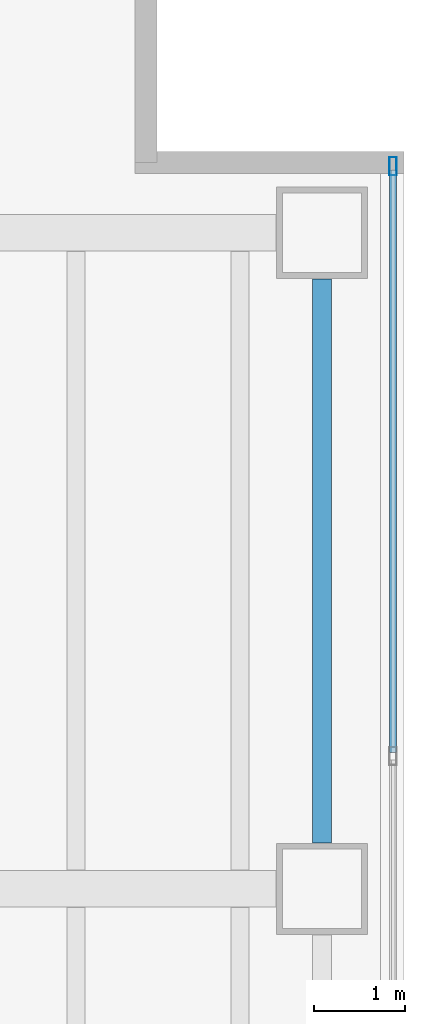
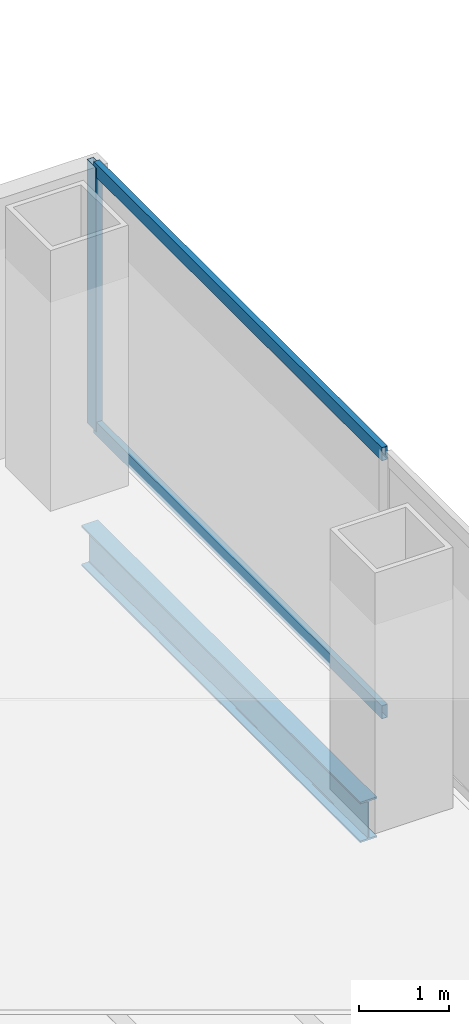
# One storey, part 13 of 25: 3 members, 1 beam, 1 element without a shape of its own.
"""IFC4 building model written with IfcOpenShell, lengths in metres."""

from ifc_helpers import new_model, si_unit, direction, frame, origin, origin_2d, place, context, subcontext, project, spatial, hollow_rectangle, i_section, extrude, material, material_profile, profile_set, type_object, element, aggregate, save


model = new_model("IFC4")

# Units and contexts
model_context = context("Model", 3, precision=1e-05, world=origin(), true_north=direction((0.0, 1.0)))
body_context = subcontext(model_context, "Body", "Model", "MODEL_VIEW")
ifc_project = project(units=[si_unit("LENGTHUNIT", "METRE"), si_unit("AREAUNIT", "SQUARE_METRE"), si_unit("VOLUMEUNIT", "CUBIC_METRE"), si_unit("PLANEANGLEUNIT", "RADIAN"), si_unit("MASSUNIT", "GRAM", prefix="KILO")], contexts=[model_context])

# Site, building, storey
site_placement = place(None, origin())
site = spatial("IfcSite", under=ifc_project, at=site_placement, CompositionType="ELEMENT")
building_placement = place(site_placement, origin())
building = spatial("IfcBuilding", under=site, at=building_placement, Name="Cobrela Telecom Tower", CompositionType="ELEMENT")
storey_placement = place(building_placement, frame((0.0, 0.0, 61.949951171875)))
storey = spatial("IfcBuildingStorey", under=building, at=storey_placement, Name="L15", CompositionType="ELEMENT", Elevation=61.949951171875)

# Beam
ifc_material_1 = material(Name="Steel ASTM A992 Grade 50", Category="steel")
ifc_material_profile_1 = material_profile(ifc_material_1, i_section(OverallWidth=0.212890625, OverallDepth=0.549072265625, WebThickness=0.0146484375, FlangeThickness=0.023681640625, FilletRadius=0.013916015625, at=origin_2d()), Name="W21X93")
ifc_profile_set_1 = profile_set([ifc_material_profile_1], Name="Steel ASTM A992 Grade 50")
beam_type = type_object("IfcBeamType", Name="BM-SPAND-03", PredefinedType="SPANDREL", material=ifc_profile_set_1)
beam_placement = place(storey_placement, frame((49.5, 14.905029296875, -0.554443359375), z_axis=(0.0, 1.0, 0.0), x_axis=(-1.0, 0.0, 0.0)))
element("IfcBeam", 1, at=beam_placement, inside=storey, type_object=beam_type, Name="L15 Perimeter Spandrel Y57", PredefinedType="SPANDREL", context=body_context, shape_type="SweptSolid", body=[
    extrude(i_section(OverallWidth=0.212890625, OverallDepth=0.549072265625, WebThickness=0.0146484375, FlangeThickness=0.023681640625, FilletRadius=0.013916015625, at=origin_2d()), origin(), (0.0, 0.0, 1.0), 6.18994140625),
])

# Curtain wall, members
ifc_material_2 = material(Name="Anodized Bronze Aluminium 6063-T6", Category="aluminium")
curtain_wall_type = type_object("IfcCurtainWallType", Name="CW-SYS-DATA", PredefinedType="USERDEFINED", material=ifc_material_2)
curtain_wall_placement = place(storey_placement, origin())
curtain_wall = element("IfcCurtainWall", 2, at=curtain_wall_placement, inside=storey, type_object=curtain_wall_type, Name="L15 Unitised Bronze Curtain Wall 14", ObjectType="UNITISED CURTAIN WALL", PredefinedType="USERDEFINED")
ifc_material_profile_2 = material_profile(ifc_material_2, hollow_rectangle(XDim=0.080078125, YDim=0.199951171875, WallThickness=0.00390625, at=origin_2d()), Name="ALU 80x200x4")
ifc_profile_set_2 = profile_set([ifc_material_profile_2], Name="Anodized Bronze Aluminium 6063-T6")
member_type_1 = type_object("IfcMemberType", Name="CW-SYS-DATA-MUL", PredefinedType="MULLION", material=ifc_profile_set_2)
member_1_placement = place(storey_placement, frame((50.280029296875, 22.330078125, 0.0), z_axis=(0.0, 0.0, 1.0), x_axis=(1.0, 0.0, 0.0)))
member_1 = element("IfcMember", 3, at=member_1_placement, type_object=member_type_1, Name="CW-DATA mullion 1", PredefinedType="MULLION", context=body_context, shape_type="SweptSolid", body=[
    extrude(hollow_rectangle(XDim=0.080078125, YDim=0.199951171875, WallThickness=0.00390625, at=origin_2d()), origin(), (0.0, 0.0, 1.0), 3.570068359375),
])
ifc_material_profile_3 = material_profile(ifc_material_2, hollow_rectangle(XDim=0.074951171875, YDim=0.179931640625, WallThickness=0.00390625, at=origin_2d()), Name="ALU 75x180x4")
ifc_profile_set_3 = profile_set([ifc_material_profile_3], Name="Anodized Bronze Aluminium 6063-T6")
member_type_2 = type_object("IfcMemberType", Name="CW-SYS-DATA-TRN", PredefinedType="USERDEFINED", material=ifc_profile_set_3)
member_2_placement = place(storey_placement, frame((50.280029296875, 22.2900390625, 0.03759765625), z_axis=(0.0, -1.0, 0.0), x_axis=(1.0, 0.0, 0.0)))
member_2 = element("IfcMember", 4, at=member_2_placement, type_object=member_type_2, Name="CW-DATA transom 1.1", ObjectType="TRANSOM", PredefinedType="USERDEFINED", context=body_context, shape_type="SweptSolid", body=[
    extrude(hollow_rectangle(XDim=0.074951171875, YDim=0.179931640625, WallThickness=0.00390625, at=origin_2d()), origin(), (0.0, 0.0, 1.0), 6.393310546875),
])
member_3_placement = place(storey_placement, frame((50.280029296875, 22.2900390625, 3.532470703125), z_axis=(0.0, -1.0, 0.0), x_axis=(1.0, 0.0, 0.0)))
member_3 = element("IfcMember", 5, at=member_3_placement, type_object=member_type_2, Name="CW-DATA transom 1.2", ObjectType="TRANSOM", PredefinedType="USERDEFINED", context=body_context, shape_type="SweptSolid", body=[
    extrude(hollow_rectangle(XDim=0.074951171875, YDim=0.179931640625, WallThickness=0.00390625, at=origin_2d()), origin(), (0.0, 0.0, 1.0), 6.393310546875),
])
aggregate(curtain_wall, [member_1, member_2, member_3])

save(model, "model.ifc")
